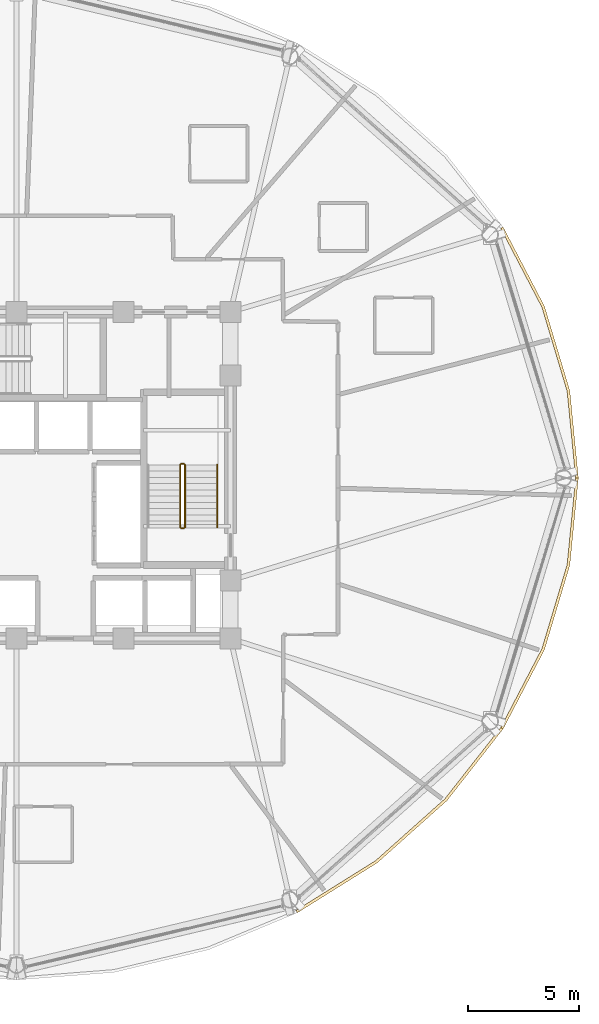
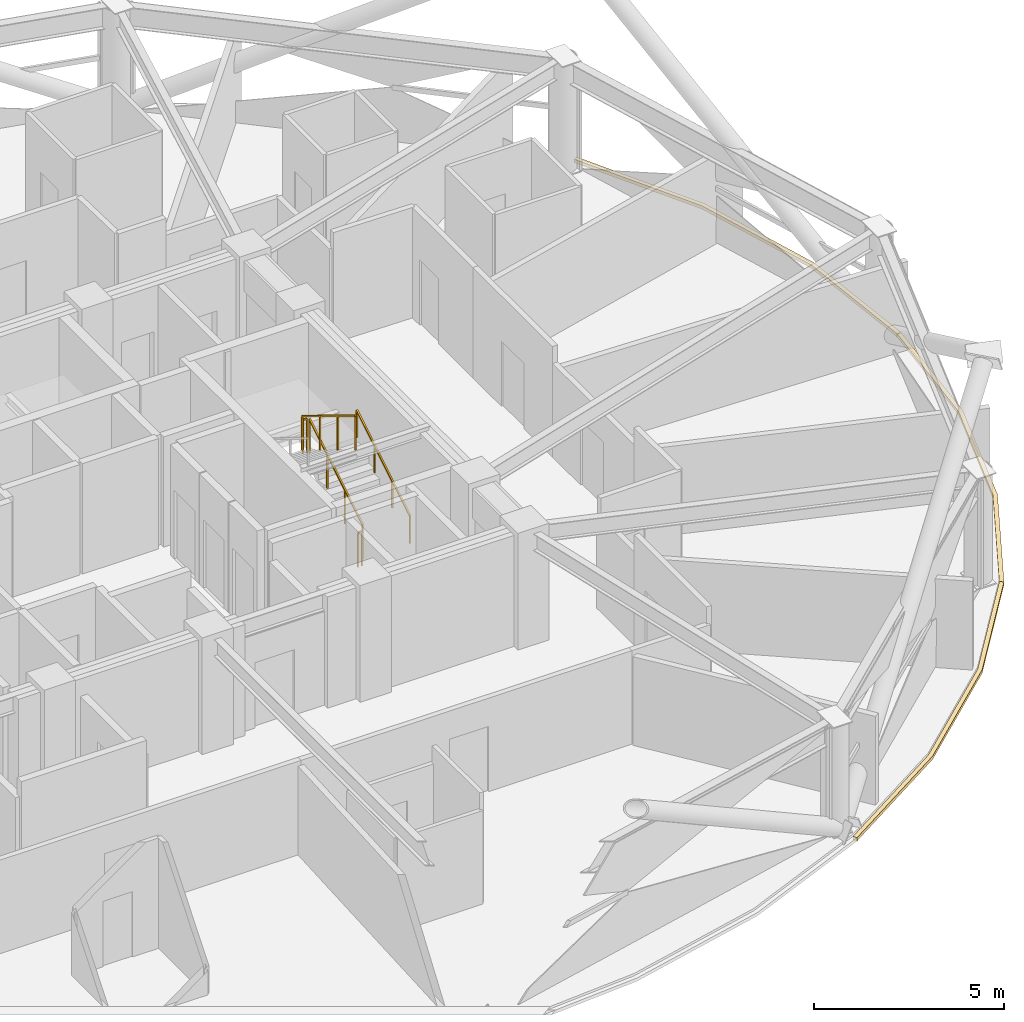
# One storey, part 28 of 29: 5 railings, 3 coverings.
"""IFC4 building model written with IfcOpenShell, lengths in metres."""

from ifc_helpers import new_model, si_unit, direction, frame, origin, origin_2d, place, context, subcontext, project, spatial, polyline, rectangle, outline, extrude, material, layer, layer_set, type_object, element, save


model = new_model("IFC4")

# Units and contexts
model_context = context("Model", 3, precision=1e-05, world=origin(), true_north=direction((0.0, 1.0)))
body_context = subcontext(model_context, "Body", "Model", "MODEL_VIEW")
ifc_project = project(units=[si_unit("LENGTHUNIT", "METRE"), si_unit("AREAUNIT", "SQUARE_METRE"), si_unit("VOLUMEUNIT", "CUBIC_METRE"), si_unit("PLANEANGLEUNIT", "RADIAN"), si_unit("MASSUNIT", "GRAM", prefix="KILO")], contexts=[model_context])

# Site, building, storey
site_placement = place(None, origin())
site = spatial("IfcSite", under=ifc_project, at=site_placement, CompositionType="ELEMENT")
building_placement = place(site_placement, origin())
building = spatial("IfcBuilding", under=site, at=building_placement, Name="Vantalir Tower", CompositionType="ELEMENT")
storey_placement = place(building_placement, frame((0.0, 0.0, 164.699951171875)))
storey = spatial("IfcBuildingStorey", under=building, at=storey_placement, Name="L41", CompositionType="ELEMENT", Elevation=164.699951171875)

# Coverings
ifc_material_1 = material(Name="Anodised champagne aluminium sill fascia", Category="aluminium")
ifc_layer = layer(ifc_material_1, 0.125)
ifc_layer_set = layer_set([ifc_layer], Name="Anodised champagne aluminium sill fascia")
covering_type = type_object("IfcCoveringType", Name="COV-SLAB-FASCIA-125", PredefinedType="CLADDING", material=ifc_layer_set)
covering_1_placement = place(storey_placement, frame((0.0, 0.0, -0.179931640625)))
element("IfcCovering", 1, at=covering_1_placement, inside=storey, type_object=covering_type, Name="L41 Perimeter Slab-Edge Sill Fascia 01", PredefinedType="CLADDING", context=body_context, shape_type="SweptSolid", body=[
    extrude(outline(polyline([(56.7109375, 25.0), (56.327880859375, 28.910888671875), (55.19091796875, 32.702880859375), (53.3330078125, 36.260986328125), (53.22509765625, 36.198974609375), (55.072998046875, 32.660888671875), (56.205078125, 28.888916015625), (56.5859375, 25.0), (56.7109375, 25.0)])), origin(), (0.0, 0.0, 1.0), 0.10498046875),
])
covering_2_placement = place(storey_placement, frame((0.0, 0.0, -0.179931640625)))
element("IfcCovering", 2, at=covering_2_placement, inside=storey, type_object=covering_type, Name="L41 Perimeter Slab-Edge Sill Fascia 11", PredefinedType="CLADDING", context=body_context, shape_type="SweptSolid", body=[
    extrude(outline(polyline([(44.10595703125, 5.4951171875), (47.705078125, 7.74609375), (50.81298828125, 10.52197265625), (53.3330078125, 13.738037109375), (53.22509765625, 13.801025390625), (50.717041015625, 10.60302734375), (47.625, 7.842041015625), (44.04296875, 5.60302734375), (44.10595703125, 5.4951171875)])), origin(), (0.0, 0.0, 1.0), 0.10498046875),
])
covering_3_placement = place(storey_placement, frame((0.0, 0.0, -0.179931640625)))
element("IfcCovering", 3, at=covering_3_placement, inside=storey, type_object=covering_type, Name="L41 Perimeter Slab-Edge Sill Fascia 12", PredefinedType="CLADDING", context=body_context, shape_type="SweptSolid", body=[
    extrude(outline(polyline([(53.3330078125, 13.738037109375), (55.19091796875, 17.297119140625), (56.327880859375, 21.089111328125), (56.7109375, 25.0), (56.5859375, 25.0), (56.205078125, 21.111083984375), (55.072998046875, 17.339111328125), (53.22509765625, 13.801025390625), (53.3330078125, 13.738037109375)])), origin(), (0.0, 0.0, 1.0), 0.10498046875),
])

# Railings
ifc_material_2 = material(Name="Anodised aluminium and stainless steel guard", Category="steel")
railing_type_1 = type_object("IfcRailingType", Name="RAL-GUARD-1120", PredefinedType="GUARDRAIL", material=ifc_material_2)
railing_1_placement = place(storey_placement, frame((39.06005859375, 22.7900390625, 0.17041015625)))
element("IfcRailing", 4, at=railing_1_placement, inside=storey, type_object=railing_type_1, Name="L41 ST2 stair guard 1", PredefinedType="GUARDRAIL", context=body_context, shape_type="SweptSolid", body=[
    extrude(rectangle(XDim=0.048095703125, YDim=0.048095703125, at=origin_2d()), frame((0.0, 0.0, 1.09619140625), z_axis=(0.0, 0.854169791009, 0.51999420009), x_axis=(-1.0, 0.0, 0.0)), (0.0, 0.0, 1.0), 3.278076171875),
    extrude(rectangle(XDim=0.0419921875, YDim=0.0419921875, at=origin_2d()), origin(), (0.0, 0.0, 1.0), 1.072021484375),
    extrude(rectangle(XDim=0.0419921875, YDim=0.0419921875, at=origin_2d()), frame((0.0, 0.933349609375, 0.568115234375)), (0.0, 0.0, 1.0), 1.072021484375),
    extrude(rectangle(XDim=0.0419921875, YDim=0.0419921875, at=origin_2d()), frame((0.0, 1.86669921875, 1.136474609375)), (0.0, 0.0, 1.0), 1.072021484375),
    extrude(rectangle(XDim=0.0419921875, YDim=0.0419921875, at=origin_2d()), frame((0.0, 2.800048828125, 1.70458984375)), (0.0, 0.0, 1.0), 1.072021484375),
])
railing_2_placement = place(storey_placement, frame((39.010009765625, 25.639892578125, 1.875)))
element("IfcRailing", 5, at=railing_2_placement, inside=storey, type_object=railing_type_1, Name="L41 ST2 stair guard 2", PredefinedType="GUARDRAIL", context=body_context, shape_type="SweptSolid", body=[
    extrude(rectangle(XDim=0.048095703125, YDim=0.048095703125, at=origin_2d()), frame((0.0, 0.0, 1.09619140625), z_axis=(-1.0, 0.0, 0.0), x_axis=(0.0, -1.0, 0.0)), (0.0, 0.0, 1.0), 0.1201171875),
    extrude(rectangle(XDim=0.0419921875, YDim=0.0419921875, at=origin_2d()), origin(), (0.0, 0.0, 1.0), 1.072021484375),
    extrude(rectangle(XDim=0.0419921875, YDim=0.0419921875, at=origin_2d()), frame((-0.1201171875, 0.0, 0.0)), (0.0, 0.0, 1.0), 1.072021484375),
])
railing_3_placement = place(storey_placement, frame((38.840087890625, 25.590087890625, 2.04541015625)))
element("IfcRailing", 6, at=railing_3_placement, inside=storey, type_object=railing_type_1, Name="L41 ST2 stair guard 3", PredefinedType="GUARDRAIL", context=body_context, shape_type="SweptSolid", body=[
    extrude(rectangle(XDim=0.048095703125, YDim=0.048095703125, at=origin_2d()), frame((0.0, 0.0, 1.09619140625), z_axis=(0.0, -0.854169791009, 0.51999420009), x_axis=(1.0, 0.0, 0.0)), (0.0, 0.0, 1.0), 3.278076171875),
    extrude(rectangle(XDim=0.0419921875, YDim=0.0419921875, at=origin_2d()), origin(), (0.0, 0.0, 1.0), 1.072021484375),
    extrude(rectangle(XDim=0.0419921875, YDim=0.0419921875, at=origin_2d()), frame((0.0, -0.933349609375, 0.568115234375)), (0.0, 0.0, 1.0), 1.072021484375),
    extrude(rectangle(XDim=0.0419921875, YDim=0.0419921875, at=origin_2d()), frame((0.0, -1.86669921875, 1.136474609375)), (0.0, 0.0, 1.0), 1.072021484375),
    extrude(rectangle(XDim=0.0419921875, YDim=0.0419921875, at=origin_2d()), frame((0.0, -2.800048828125, 1.70458984375)), (0.0, 0.0, 1.0), 1.072021484375),
])
railing_4_placement = place(storey_placement, frame((39.010009765625, 22.739990234375, 0.0)))
element("IfcRailing", 7, at=railing_4_placement, inside=storey, type_object=railing_type_1, Name="L41 ST2 stair guard 4", PredefinedType="GUARDRAIL", context=body_context, shape_type="SweptSolid", body=[
    extrude(rectangle(XDim=0.048095703125, YDim=0.048095703125, at=origin_2d()), frame((0.0, 0.0, 1.09619140625), z_axis=(-1.0, 0.0, 0.0), x_axis=(0.0, -1.0, 0.0)), (0.0, 0.0, 1.0), 0.1201171875),
    extrude(rectangle(XDim=0.0419921875, YDim=0.0419921875, at=origin_2d()), origin(), (0.0, 0.0, 1.0), 1.072021484375),
    extrude(rectangle(XDim=0.0419921875, YDim=0.0419921875, at=origin_2d()), frame((-0.1201171875, 0.0, 0.0)), (0.0, 0.0, 1.0), 1.072021484375),
])
ifc_material_3 = material(Name="Brushed stainless steel tubular handrail", Category="steel")
railing_type_2 = type_object("IfcRailingType", Name="RAL-HANDRAIL-900", PredefinedType="HANDRAIL", material=ifc_material_3)
railing_5_placement = place(storey_placement, frame((40.5, 22.7900390625, 0.17041015625)))
element("IfcRailing", 8, at=railing_5_placement, inside=storey, type_object=railing_type_2, Name="L41 ST2 stair handrail 1", PredefinedType="HANDRAIL", context=body_context, shape_type="SweptSolid", body=[
    extrude(rectangle(XDim=0.048095703125, YDim=0.048095703125, at=origin_2d()), frame((0.0, 0.0, 0.8759765625), z_axis=(0.0, 0.854169791009, 0.51999420009), x_axis=(-1.0, 0.0, 0.0)), (0.0, 0.0, 1.0), 3.278076171875),
    extrude(rectangle(XDim=0.0419921875, YDim=0.0419921875, at=origin_2d()), origin(), (0.0, 0.0, 1.0), 0.851806640625),
    extrude(rectangle(XDim=0.0419921875, YDim=0.0419921875, at=origin_2d()), frame((0.0, 0.933349609375, 0.568115234375)), (0.0, 0.0, 1.0), 0.851806640625),
    extrude(rectangle(XDim=0.0419921875, YDim=0.0419921875, at=origin_2d()), frame((0.0, 1.86669921875, 1.136474609375)), (0.0, 0.0, 1.0), 0.851806640625),
    extrude(rectangle(XDim=0.0419921875, YDim=0.0419921875, at=origin_2d()), frame((0.0, 2.800048828125, 1.70458984375)), (0.0, 0.0, 1.0), 0.851806640625),
])

save(model, "model.ifc")
